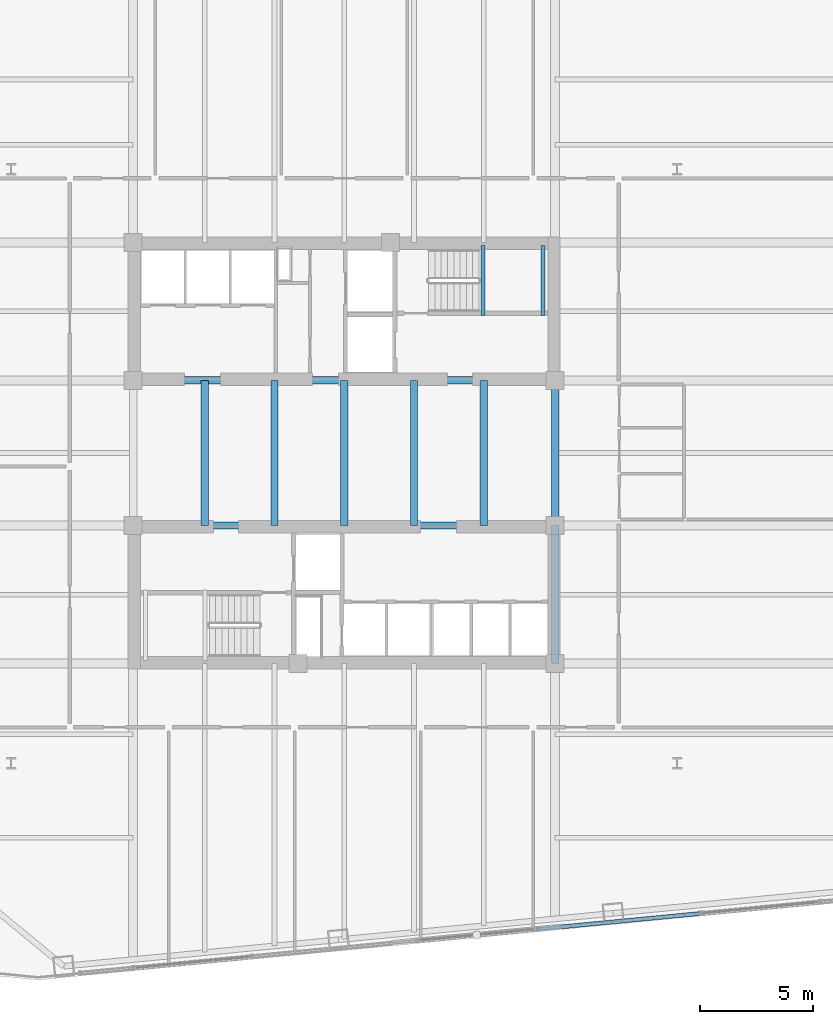
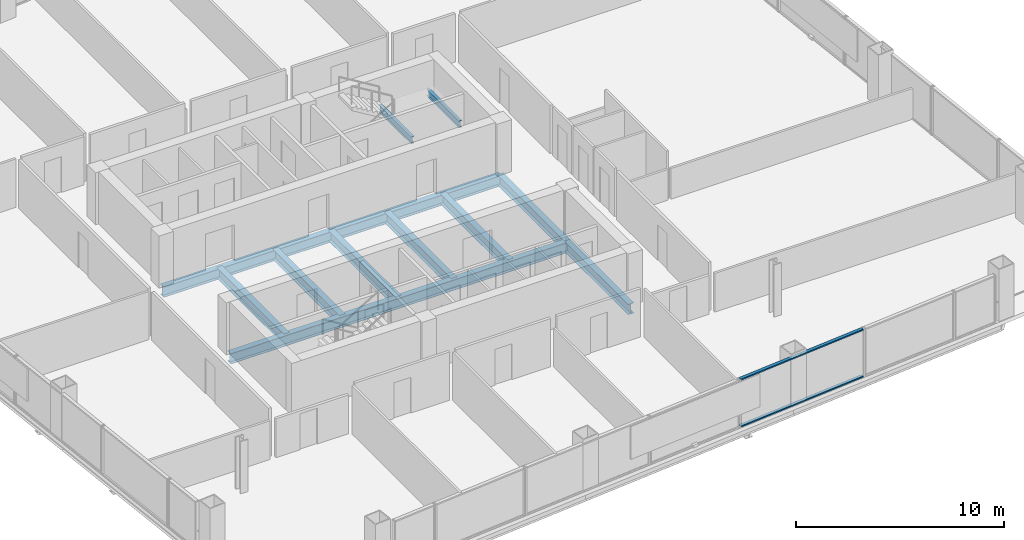
# One storey, part 8 of 27: 11 beams, 2 members, 1 element without a shape of its own.
"""IFC4 building model written with IfcOpenShell, lengths in metres."""

from ifc_helpers import new_model, si_unit, direction, frame, origin, origin_2d, place, context, subcontext, project, spatial, hollow_rectangle, i_section, extrude, material, layer, layer_set, material_profile, profile_set, type_object, element, aggregate, save


model = new_model("IFC4")

# Units and contexts
model_context = context("Model", 3, precision=1e-05, world=origin(), true_north=direction((0.0, 1.0)))
body_context = subcontext(model_context, "Body", "Model", "MODEL_VIEW")
ifc_project = project(units=[si_unit("LENGTHUNIT", "METRE"), si_unit("AREAUNIT", "SQUARE_METRE"), si_unit("VOLUMEUNIT", "CUBIC_METRE"), si_unit("PLANEANGLEUNIT", "RADIAN"), si_unit("MASSUNIT", "GRAM", prefix="KILO")], contexts=[model_context])

# Site, building, storey
site_placement = place(None, origin())
site = spatial("IfcSite", under=ifc_project, at=site_placement, CompositionType="ELEMENT")
building_placement = place(site_placement, origin())
building = spatial("IfcBuilding", under=site, at=building_placement, Name="Qhalaya Broadcast Tower", CompositionType="ELEMENT")
storey_placement = place(building_placement, frame((0.0, 0.0, 84.699951171875)))
storey = spatial("IfcBuildingStorey", under=building, at=storey_placement, Name="L24", CompositionType="ELEMENT", Elevation=84.699951171875)

# Beams
ifc_material_1 = material(Name="Structural Steel ASTM A992 Grade 50", Category="steel")
ifc_material_profile_1 = material_profile(ifc_material_1, i_section(OverallWidth=0.323974609375, OverallDepth=0.612060546875, WebThickness=0.0126953125, FlangeThickness=0.01904296875, at=origin_2d()), Name="W24X104")
ifc_profile_set_1 = profile_set([ifc_material_profile_1], Name="Structural Steel ASTM A992 Grade 50")
beam_type_1 = type_object("IfcBeamType", Name="Core Frame Tie Beam B04", PredefinedType="BEAM", material=ifc_profile_set_1)
for number, where, z_axis, x_axis, name in (
    (1, (-9.375, 3.824951171875, -0.52587890625), (1.0, 0.0, 0.0), (0.0, 1.0, 0.0), "L24 B04 L24-CCN1"),
    (2, (-9.375, -2.625, -0.52587890625), (1.0, 0.0, 0.0), (0.0, 1.0, 0.0), "L24 B04 L24-CCS1"),
):
    element("IfcBeam", number, at=place(storey_placement, frame(where, z_axis=z_axis, x_axis=x_axis)), inside=storey, type_object=beam_type_1, Name=name, PredefinedType="BEAM", context=body_context, shape_type="SweptSolid", body=[
        extrude(i_section(OverallWidth=0.323974609375, OverallDepth=0.612060546875, WebThickness=0.0126953125, FlangeThickness=0.01904296875, at=origin_2d()), origin(), (0.0, 0.0, 1.0), 18.75),
    ])
beam_placement = place(storey_placement, frame((9.375, -8.75, -0.52587890625), z_axis=(0.0, 1.0, 0.0), x_axis=(-1.0, 0.0, 0.0)))
element("IfcBeam", 3, at=beam_placement, inside=storey, type_object=beam_type_1, Name="L24 B04 L24-CCS2", PredefinedType="BEAM", context=body_context, shape_type="SweptSolid", body=[
    extrude(i_section(OverallWidth=0.323974609375, OverallDepth=0.612060546875, WebThickness=0.0126953125, FlangeThickness=0.01904296875, at=origin_2d()), origin(), (0.0, 0.0, 1.0), 6.125),
])
for number, where, z_axis, x_axis, name in (
    (4, (9.375, -2.625, -0.52587890625), (0.0, 1.0, 0.0), (-1.0, 0.0, 0.0), "L24 B04 L24-CCE"),
    (5, (-6.199951171875, -2.625, -0.52587890625), (0.0, 1.0, 0.0), (-1.0, 0.0, 0.0), "L24 B04 L24-JC1-1"),
    (6, (-3.10009765625, -2.625, -0.52587890625), (0.0, 1.0, 0.0), (-1.0, 0.0, 0.0), "L24 B04 L24-JC2-1"),
    (7, (0.0, -2.625, -0.52587890625), (0.0, 1.0, 0.0), (-1.0, 0.0, 0.0), "L24 B04 L24-JC3-1"),
    (8, (3.10009765625, -2.625, -0.52587890625), (0.0, 1.0, 0.0), (-1.0, 0.0, 0.0), "L24 B04 L24-JC4-1"),
    (9, (6.199951171875, -2.625, -0.52587890625), (0.0, 1.0, 0.0), (-1.0, 0.0, 0.0), "L24 B04 L24-JC5-1"),
):
    element("IfcBeam", number, at=place(storey_placement, frame(where, z_axis=z_axis, x_axis=x_axis)), inside=storey, type_object=beam_type_1, Name=name, PredefinedType="BEAM", context=body_context, shape_type="SweptSolid", body=[
        extrude(i_section(OverallWidth=0.323974609375, OverallDepth=0.612060546875, WebThickness=0.0126953125, FlangeThickness=0.01904296875, at=origin_2d()), origin(), (0.0, 0.0, 1.0), 6.449951171875),
    ])

# Curtain wall, members
ifc_material_2 = material(Name="Fired Architectural Terracotta", Category="masonry")
ifc_layer = layer(ifc_material_2, 0.219970703125, Name="Fired Architectural Terracotta")
ifc_layer_set = layer_set([ifc_layer], Name="Fired Architectural Terracotta")
curtain_wall_type = type_object("IfcCurtainWallType", Name="Block-Cap Unitised Terracotta Spandrel Wall CW-07", PredefinedType="NOTDEFINED", material=ifc_layer_set)
curtain_wall_placement = place(storey_placement, origin())
curtain_wall = element("IfcCurtainWall", 10, at=curtain_wall_placement, inside=storey, type_object=curtain_wall_type, Name="L24 Unitised Curtain Wall L24-CW-S5", PredefinedType="NOTDEFINED")
ifc_material_3 = material(Name="Anodised Aluminium 6063-T6", Category="aluminium")
ifc_material_profile_2 = material_profile(ifc_material_3, hollow_rectangle(XDim=0.074951171875, YDim=0.179931640625, WallThickness=0.00390625, at=origin_2d()), Name="ALU-TRN 75x180x4")
ifc_profile_set_2 = profile_set([ifc_material_profile_2], Name="Anodised Aluminium 6063-T6")
member_type = type_object("IfcMemberType", Name="Unitised Curtain-Wall Transom T01", PredefinedType="USERDEFINED", material=ifc_profile_set_2)
member_1_placement = place(storey_placement, frame((8.601806640625, -20.56591796875, 0.03759765625), z_axis=(0.995395868945, 0.095849173639, 0.0), x_axis=(0.0, 0.0, 1.0)))
member_1 = element("IfcMember", 11, at=member_1_placement, type_object=member_type, Name="CW-07 transom 1.1", ObjectType="TRANSOM", PredefinedType="USERDEFINED", context=body_context, shape_type="SweptSolid", body=[
    extrude(hollow_rectangle(XDim=0.074951171875, YDim=0.179931640625, WallThickness=0.00390625, at=origin_2d()), origin(), (0.0, 0.0, 1.0), 7.2109375),
])
member_2_placement = place(storey_placement, frame((8.601806640625, -20.56591796875, 2.79248046875), z_axis=(0.995395868945, 0.095849173639, 0.0), x_axis=(0.0, 0.0, 1.0)))
member_2 = element("IfcMember", 12, at=member_2_placement, type_object=member_type, Name="CW-07 transom 1.2", ObjectType="TRANSOM", PredefinedType="USERDEFINED", context=body_context, shape_type="SweptSolid", body=[
    extrude(hollow_rectangle(XDim=0.074951171875, YDim=0.179931640625, WallThickness=0.00390625, at=origin_2d()), origin(), (0.0, 0.0, 1.0), 7.2109375),
])
aggregate(curtain_wall, [member_1, member_2])

# Beams
ifc_material_profile_3 = material_profile(ifc_material_1, i_section(OverallWidth=0.177978515625, OverallDepth=0.406005859375, WebThickness=0.0078125, FlangeThickness=0.0126953125, at=origin_2d()), Name="W16X40")
ifc_profile_set_3 = profile_set([ifc_material_profile_3], Name="Structural Steel ASTM A992 Grade 50")
beam_type_2 = type_object("IfcBeamType", Name="Upper Perimeter Spandrel Beam SP2", PredefinedType="SPANDREL", material=ifc_profile_set_3)
for number, where, z_axis, x_axis, name in (
    (13, (6.175048828125, 6.699951171875, 1.1220703125), (0.0, 1.0, 0.0), (-1.0, 0.0, 0.0), "L24 ST-1 Half-Landing Bearer Beam 1"),
    (14, (8.830078125, 6.699951171875, 1.1220703125), (0.0, 1.0, 0.0), (-1.0, 0.0, 0.0), "L24 ST-1 Half-Landing Bearer Beam 2"),
):
    element("IfcBeam", number, at=place(storey_placement, frame(where, z_axis=z_axis, x_axis=x_axis)), inside=storey, type_object=beam_type_2, Name=name, PredefinedType="SPANDREL", context=body_context, shape_type="SweptSolid", body=[
        extrude(i_section(OverallWidth=0.177978515625, OverallDepth=0.406005859375, WebThickness=0.0078125, FlangeThickness=0.0126953125, at=origin_2d()), origin(), (0.0, 0.0, 1.0), 3.1201171875),
    ])

save(model, "model.ifc")
